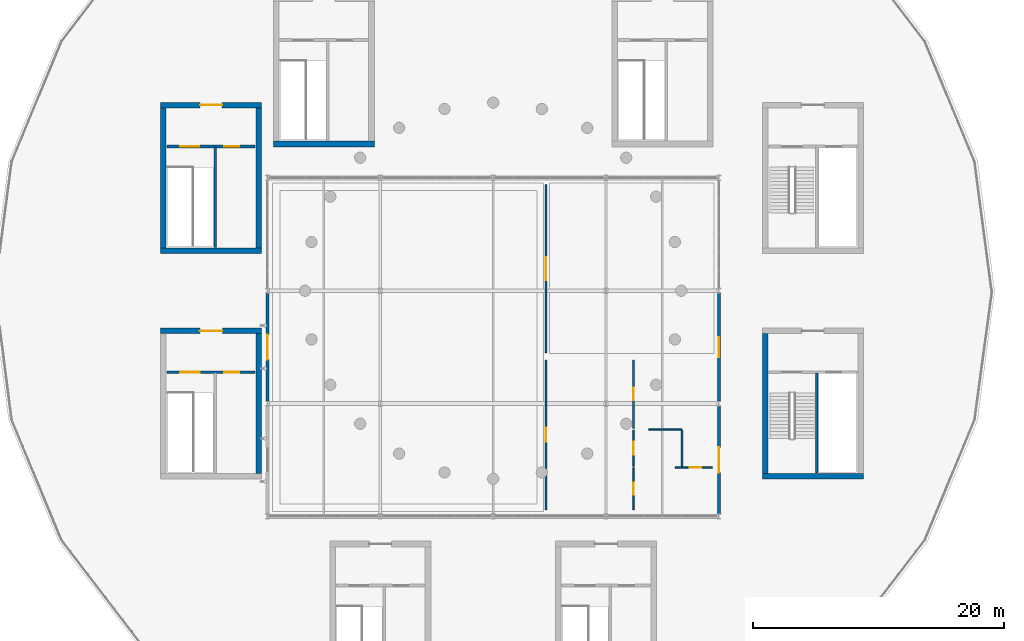
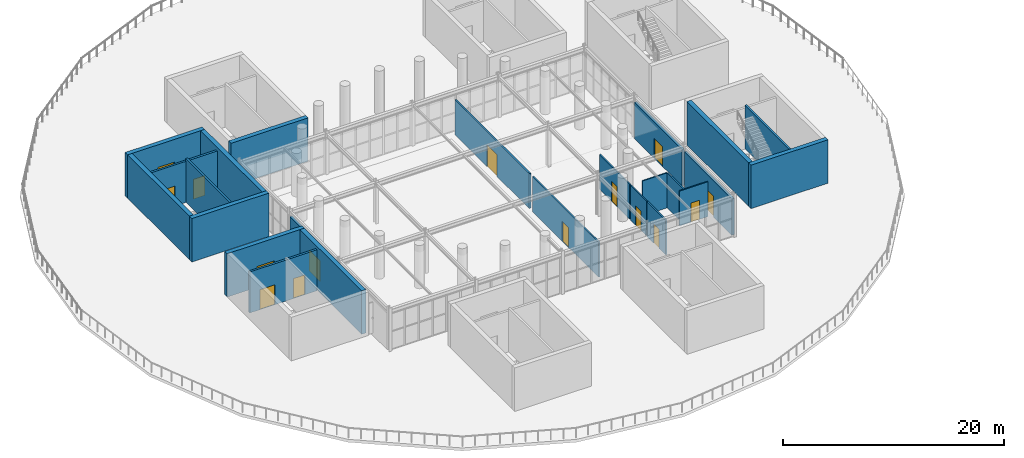
# One storey, part 22 of 29: 24 walls, 15 doors, 15 openings.
"""IFC4 building model written with IfcOpenShell, lengths in metres."""

import ifcopenshell
import ifcopenshell.guid

model = None  # the IFC model being written
_history = None  # IfcOwnerHistory: only IFC2X3 demands one
_inside = {}  # id of a spatial element -> (the spatial element, [elements in it])
_under = {}  # id of a project, library or spatial element -> (it, [spatial elements below it])
_declared = {}  # id of a project -> (the project, [libraries it declares])
_typed = {}  # id of a type object -> (the type object, [elements of that type])
_made_of = {}  # id of a material, layer set ... -> (it, [elements and type objects made of it])


def new_model(schema):
    """Start an empty IFC model of exactly this schema.

    Asked for "IFC4X3", IfcOpenShell would pick the latest addendum, in which some entities
    have other attributes; the version numbers below select the first issue.
    IFC2X3 requires an IfcOwnerHistory on every rooted entity: one is made here for all.
    """
    global model, _history
    if schema == "IFC4X3":
        model = ifcopenshell.file(schema_version=(4, 3, 0, 0))
    else:
        model = ifcopenshell.file(schema=schema)
    _inside.clear()
    _under.clear()
    _declared.clear()
    _typed.clear()
    _made_of.clear()
    _history = None
    if model.schema == "IFC2X3":
        org = make("IfcOrganization", Name="unknown")
        user = make(
            "IfcPersonAndOrganization",
            ThePerson=make("IfcPerson", FamilyName="unknown"),
            TheOrganization=org,
        )
        app = make(
            "IfcApplication",
            ApplicationDeveloper=org,
            Version="unknown",
            ApplicationFullName="unknown",
            ApplicationIdentifier="unknown",
        )
        _history = make(
            "IfcOwnerHistory",
            OwningUser=user,
            OwningApplication=app,
            ChangeAction="ADDED",
            CreationDate=0,
        )
    return model


def make(cls, **values):
    """One entity of the class cls with the attributes given. An attribute that is None is left unset."""
    return model.create_entity(
        cls, **{name: value for name, value in values.items() if value is not None}
    )


def rooted(cls, **values):
    """An entity with a GlobalId (a new one), such as an element, a storey or a relation."""
    return make(cls, GlobalId=ifcopenshell.guid.new(), OwnerHistory=_history, **values)


def si_unit(unit_type, name, prefix=None):
    """IfcSIUnit, for example si_unit("LENGTHUNIT", "METRE", prefix="MILLI")."""
    return make("IfcSIUnit", UnitType=unit_type, Prefix=prefix, Name=name)


def assignment(units):
    """IfcUnitAssignment: the units of a project."""
    return None if units is None else make("IfcUnitAssignment", Units=units)


def point(xyz):
    """IfcCartesianPoint."""
    return None if xyz is None else make("IfcCartesianPoint", Coordinates=xyz)


def direction(xyz):
    """IfcDirection."""
    return None if xyz is None else make("IfcDirection", DirectionRatios=xyz)


def frame(location, z_axis=None, x_axis=None):
    """IfcAxis2Placement3D, a coordinate frame: its origin and axes. An axis left out is left unset."""
    return make(
        "IfcAxis2Placement3D",
        Location=point(location),
        Axis=direction(z_axis),
        RefDirection=direction(x_axis),
    )


def frame_2d(location, x_axis=None):
    """IfcAxis2Placement2D, a coordinate frame in the plane: its origin and x axis."""
    return make(
        "IfcAxis2Placement2D", Location=point(location), RefDirection=direction(x_axis)
    )


def origin():
    """The frame at (0, 0, 0) with its axes left unset."""
    return frame((0.0, 0.0, 0.0))


def place(relative_to, where):
    """IfcLocalPlacement: puts the frame where relative to a parent placement (None: the world)."""
    return make(
        "IfcLocalPlacement", PlacementRelTo=relative_to, RelativePlacement=where
    )


def context(
    kind, dimensions, precision=None, world=None, true_north=None, identifier=None
):
    """IfcGeometricRepresentationContext, for example the 3D "Model" context."""
    return make(
        "IfcGeometricRepresentationContext",
        ContextIdentifier=identifier,
        ContextType=kind,
        CoordinateSpaceDimension=dimensions,
        Precision=precision,
        WorldCoordinateSystem=world,
        TrueNorth=true_north,
    )


def subcontext(parent, identifier, kind, view, scale=None):
    """IfcGeometricRepresentationSubContext, for example "Body" below "Model"."""
    return make(
        "IfcGeometricRepresentationSubContext",
        ContextIdentifier=identifier,
        ContextType=kind,
        ParentContext=parent,
        TargetScale=scale,
        TargetView=view,
    )


def project(units=None, contexts=None):
    """IfcProject with its units and contexts."""
    return rooted(
        "IfcProject",
        Name="project",
        RepresentationContexts=contexts,
        UnitsInContext=assignment(units),
    )


def spatial(cls, under=None, at=None, **own):
    """A site, building, storey or space (cls), placed at a placement, below another one or the project."""
    s = rooted(cls, ObjectPlacement=at, **own)
    if under is not None:
        _under.setdefault(under.id(), (under, []))[1].append(s)
    return s


def profile(cls, at=None, kind="AREA", **sizes):
    """A parametric profile (cls). Its sizes go by their IFC names, for example OverallWidth=200.0."""
    return make(cls, ProfileType=kind, Position=at, **sizes)


def rectangle(**sizes):
    """IfcRectangleProfileDef."""
    return profile("IfcRectangleProfileDef", **sizes)


def extrude(swept, where, along, depth):
    """IfcExtrudedAreaSolid: the profile swept, set in the frame where, extruded along a direction by depth."""
    return make(
        "IfcExtrudedAreaSolid",
        SweptArea=swept,
        Position=where,
        ExtrudedDirection=direction(along),
        Depth=depth,
    )


def shape(context_of_items, identifier, shape_type, items):
    """IfcShapeRepresentation: the items that make up one representation, for example the "Body"."""
    return make(
        "IfcShapeRepresentation",
        ContextOfItems=context_of_items,
        RepresentationIdentifier=identifier,
        RepresentationType=shape_type,
        Items=items,
    )


def material(Name=None, Category=None):
    """IfcMaterial."""
    return make("IfcMaterial", Name=Name, Category=Category)


def layer(
    of_material, thickness, ventilated=None, Name=None, Category=None, Priority=None
):
    """IfcMaterialLayer: one layer of a wall or slab, of a material (None: an air gap)."""
    return make(
        "IfcMaterialLayer",
        Material=of_material,
        LayerThickness=thickness,
        IsVentilated=ventilated,
        Name=Name,
        Category=Category,
        Priority=Priority,
    )


def layer_set(layers, Name=None):
    """IfcMaterialLayerSet."""
    return make("IfcMaterialLayerSet", MaterialLayers=layers, LayerSetName=Name)


def made_of(thing, what):
    """Note that an element or type object is made of a material, layer set ...; save() writes the relation."""
    if what is not None:
        _made_of.setdefault(what.id(), (what, []))[1].append(thing)
    return thing


def type_object(cls, material=None, **own):
    """A type object (cls), such as IfcWallType, which elements share."""
    return made_of(rooted(cls, **own), material)


def element(
    cls,
    number,
    at=None,
    inside=None,
    cuts=None,
    type_object=None,
    material=None,
    context=None,
    identifier="Body",
    shape_type=None,
    held_by="IfcProductDefinitionShape",
    body=None,
    shapes=None,
    **own,
):
    """One element of the class cls, such as IfcWall. Its Tag is "e" and its number.

    at: its placement. inside: the storey or other place that contains it. cuts: it is an
    opening in that element (IfcRelVoidsElement). A single representation is given by context,
    identifier, shape_type and body (its items); several are given by shapes. held_by: the class
    of the entity that holds the representations. save() writes the other relations.
    """
    e = rooted(cls, Tag="e%d" % number, ObjectPlacement=at, **own)
    if body is not None:
        shapes = [shape(context, identifier, shape_type, body)]
    if shapes is not None:
        e.Representation = make(held_by, Representations=shapes)
    if inside is not None:
        _inside.setdefault(inside.id(), (inside, []))[1].append(e)
    if cuts is not None:
        rooted(
            "IfcRelVoidsElement", RelatingBuildingElement=cuts, RelatedOpeningElement=e
        )
    if type_object is not None:
        _typed.setdefault(type_object.id(), (type_object, []))[1].append(e)
    return made_of(e, material)


def fill(opening, filler):
    """IfcRelFillsElement: the door or window that sits in an opening."""
    return rooted(
        "IfcRelFillsElement",
        RelatingOpeningElement=opening,
        RelatedBuildingElement=filler,
    )


def aggregate(whole, parts):
    """IfcRelAggregates: a whole, such as a stair, and the parts it consists of."""
    return rooted("IfcRelAggregates", RelatingObject=whole, RelatedObjects=parts)


def save(model, path):
    """Write the relations noted so far, then the file.

    IfcRelAggregates (storeys below a building ...), IfcRelContainedInSpatialStructure (elements
    in a storey), IfcRelDefinesByType, IfcRelAssociatesMaterial and IfcRelDeclares: one each for
    every whole, place, type object, material and project.
    """
    for whole, parts in _under.values():
        aggregate(whole, parts)
    for where, things in _inside.values():
        rooted(
            "IfcRelContainedInSpatialStructure",
            RelatedElements=things,
            RelatingStructure=where,
        )
    for kind, things in _typed.values():
        rooted("IfcRelDefinesByType", RelatedObjects=things, RelatingType=kind)
    for what, things in _made_of.values():
        rooted("IfcRelAssociatesMaterial", RelatedObjects=things, RelatingMaterial=what)
    for by, libraries in _declared.values():
        rooted("IfcRelDeclares", RelatingContext=by, RelatedDefinitions=libraries)
    model.write(path)


model = new_model("IFC4")

# Units and contexts
model_context = context("Model", 3, precision=1e-05, world=origin(), true_north=direction((0.0, 1.0)))
body_context = subcontext(model_context, "Body", "Model", "MODEL_VIEW")
ifc_project = project(units=[si_unit("LENGTHUNIT", "METRE"), si_unit("AREAUNIT", "SQUARE_METRE"), si_unit("VOLUMEUNIT", "CUBIC_METRE"), si_unit("PLANEANGLEUNIT", "RADIAN"), si_unit("MASSUNIT", "GRAM", prefix="KILO")], contexts=[model_context])

# Site, building, storey
site_placement = place(None, origin())
site = spatial("IfcSite", under=ifc_project, at=site_placement, CompositionType="ELEMENT")
building_placement = place(site_placement, origin())
building = spatial("IfcBuilding", under=site, at=building_placement, Name="Dornveld Trade and Exhibition Forum", CompositionType="ELEMENT")
storey_placement = place(building_placement, frame((0.0, 0.0, 21.60009765625)))
storey = spatial("IfcBuildingStorey", under=building, at=storey_placement, Name="L04", CompositionType="ELEMENT", Elevation=21.60009765625)

# Walls
ifc_material_1 = material(Name="Concrete C40/50", Category="concrete")
ifc_layer_1 = layer(ifc_material_1, 0.449951171875)
ifc_layer_set_1 = layer_set([ifc_layer_1], Name="Concrete C40/50")
wall_type_1 = type_object("IfcWallType", Name="WL-CORE-450", PredefinedType="SHEAR", material=ifc_layer_set_1)
for number, where, z_axis, x_axis, name in (
    (1, (99.47509765625, 92.699951171875, 0.0), (0.0, 0.0, 1.0), (1.0, 0.0, 0.0), "CORE-03 L04 shear wall S"),
    (2, (90.47509765625, 84.199951171875, 0.0), (0.0, 0.0, 1.0), (1.0, 0.0, 0.0), "CORE-04 L04 shear wall S"),
):
    element("IfcWall", number, at=place(storey_placement, frame(where, z_axis=z_axis, x_axis=x_axis)), inside=storey, type_object=wall_type_1, Name=name, PredefinedType="SHEAR", context=body_context, shape_type="SweptSolid", body=[
        extrude(rectangle(XDim=8.0498046875, YDim=0.449951171875, at=frame_2d((4.02490234375, 0.0))), origin(), (0.0, 0.0, 1.0), 4.7998046875),
    ])

# Wall, opening, door
wall_1_placement = place(storey_placement, frame((90.47509765625, 95.800048828125, 0.0), z_axis=(0.0, 0.0, 1.0), x_axis=(1.0, 0.0, 0.0)))
wall_1 = element("IfcWall", 3, at=wall_1_placement, inside=storey, type_object=wall_type_1, Name="CORE-04 L04 shear wall N", PredefinedType="SHEAR", context=body_context, shape_type="SweptSolid", body=[
    extrude(rectangle(XDim=8.0498046875, YDim=0.449951171875, at=frame_2d((4.02490234375, 0.0))), origin(), (0.0, 0.0, 1.0), 4.7998046875),
])
opening_1_placement = place(wall_1_placement, frame((3.14990234375, 0.0, 0.0)))
opening_1 = element("IfcOpeningElement", 4, at=opening_1_placement, cuts=wall_1, Name="Opening CD-04-L04", PredefinedType="OPENING", context=body_context, shape_type="SweptSolid", body=[
    extrude(rectangle(XDim=1.75, YDim=2.300048828125, at=frame_2d((0.875, 1.14990234375))), frame((0.0, 0.23486328125, 0.0), z_axis=(0.0, -1.0, 0.0), x_axis=(1.0, 0.0, 0.0)), (0.0, 0.0, 1.0), 0.469970703125),
])
ifc_material_2 = material(Name="Steel fire-rated double door assembly", Category="steel")
door_type_1 = type_object("IfcDoorType", Name="DR-CORE-175x230", OperationType="NOTDEFINED", PredefinedType="DOOR", material=ifc_material_2)
door_1_placement = place(opening_1_placement, frame((1.75, 0.0, 0.0), z_axis=(0.0, 0.0, 1.0), x_axis=(-1.0, 0.0, 0.0)))
door_1 = element("IfcDoor", 5, at=door_1_placement, inside=storey, type_object=door_type_1, Name="CORE-04 L04 core lobby double fire door", OperationType="DOUBLE_DOOR_SINGLE_SWING", OverallHeight=2.300048828125, OverallWidth=1.75, PredefinedType="DOOR", context=body_context, shape_type="SweptSolid", body=[
    extrude(rectangle(XDim=1.75, YDim=2.300048828125, at=frame_2d((0.875, 1.14990234375))), frame((0.0, 0.02490234375, 0.0), z_axis=(0.0, -1.0, 0.0), x_axis=(1.0, 0.0, 0.0)), (0.0, 0.0, 1.0), 0.050048828125),
])
fill(opening_1, door_1)

# Walls
for number, where, z_axis, x_axis, name in (
    (6, (90.699951171875, 84.425048828125, 0.0), (0.0, 0.0, 1.0), (0.0, 1.0, 0.0), "CORE-04 L04 shear wall W"),
    (7, (98.300048828125, 84.425048828125, 0.0), (0.0, 0.0, 1.0), (0.0, 1.0, 0.0), "CORE-04 L04 shear wall E"),
):
    element("IfcWall", number, at=place(storey_placement, frame(where, z_axis=z_axis, x_axis=x_axis)), inside=storey, type_object=wall_type_1, Name=name, PredefinedType="SHEAR", context=body_context, shape_type="SweptSolid", body=[
        extrude(rectangle(XDim=11.14990234375, YDim=0.449951171875, at=frame_2d((5.574951171875, 0.0))), origin(), (0.0, 0.0, 1.0), 4.7998046875),
    ])

# Wall, opening, door
wall_2_placement = place(storey_placement, frame((90.47509765625, 77.800048828125, 0.0), z_axis=(0.0, 0.0, 1.0), x_axis=(1.0, 0.0, 0.0)))
wall_2 = element("IfcWall", 8, at=wall_2_placement, inside=storey, type_object=wall_type_1, Name="CORE-05 L04 shear wall N", PredefinedType="SHEAR", context=body_context, shape_type="SweptSolid", body=[
    extrude(rectangle(XDim=8.0498046875, YDim=0.449951171875, at=frame_2d((4.02490234375, 0.0))), origin(), (0.0, 0.0, 1.0), 4.7998046875),
])
opening_2_placement = place(wall_2_placement, frame((3.125, 0.0, 0.0)))
opening_2 = element("IfcOpeningElement", 9, at=opening_2_placement, cuts=wall_2, Name="Opening CD-05-L04", PredefinedType="OPENING", context=body_context, shape_type="SweptSolid", body=[
    extrude(rectangle(XDim=1.800048828125, YDim=2.300048828125, at=frame_2d((0.89990234375, 1.14990234375))), frame((0.0, 0.23486328125, 0.0), z_axis=(0.0, -1.0, 0.0), x_axis=(1.0, 0.0, 0.0)), (0.0, 0.0, 1.0), 0.469970703125),
])
ifc_material_3 = material(Name="Steel fire-rated double door assembly", Category="steel")
door_type_2 = type_object("IfcDoorType", Name="DR-CORE-180x230", OperationType="NOTDEFINED", PredefinedType="DOOR", material=ifc_material_3)
door_2_placement = place(opening_2_placement, frame((1.800048828125, 0.0, 0.0), z_axis=(0.0, 0.0, 1.0), x_axis=(-1.0, 0.0, 0.0)))
door_2 = element("IfcDoor", 10, at=door_2_placement, inside=storey, type_object=door_type_2, Name="CORE-05 L04 core lobby double fire door", OperationType="DOUBLE_DOOR_SINGLE_SWING", OverallHeight=2.300048828125, OverallWidth=1.800048828125, PredefinedType="DOOR", context=body_context, shape_type="SweptSolid", body=[
    extrude(rectangle(XDim=1.800048828125, YDim=2.300048828125, at=frame_2d((0.89990234375, 1.14990234375))), frame((0.0, 0.02490234375, 0.0), z_axis=(0.0, -1.0, 0.0), x_axis=(1.0, 0.0, 0.0)), (0.0, 0.0, 1.0), 0.050048828125),
])
fill(opening_2, door_2)

# Walls
wall_3_placement = place(storey_placement, frame((98.300048828125, 66.425048828125, 0.0), z_axis=(0.0, 0.0, 1.0), x_axis=(0.0, 1.0, 0.0)))
element("IfcWall", 11, at=wall_3_placement, inside=storey, type_object=wall_type_1, Name="CORE-05 L04 shear wall E", PredefinedType="SHEAR", context=body_context, shape_type="SweptSolid", body=[
    extrude(rectangle(XDim=11.14990234375, YDim=0.449951171875, at=frame_2d((5.574951171875, 0.0))), origin(), (0.0, 0.0, 1.0), 4.7998046875),
])
wall_4_placement = place(storey_placement, frame((138.47509765625, 66.199951171875, 0.0), z_axis=(0.0, 0.0, 1.0), x_axis=(1.0, 0.0, 0.0)))
element("IfcWall", 12, at=wall_4_placement, inside=storey, type_object=wall_type_1, Name="CORE-08 L04 shear wall S", PredefinedType="SHEAR", context=body_context, shape_type="SweptSolid", body=[
    extrude(rectangle(XDim=8.0498046875, YDim=0.449951171875, at=frame_2d((4.02490234375, 0.0))), origin(), (0.0, 0.0, 1.0), 4.7998046875),
])
wall_5_placement = place(storey_placement, frame((138.699951171875, 66.425048828125, 0.0), z_axis=(0.0, 0.0, 1.0), x_axis=(0.0, 1.0, 0.0)))
element("IfcWall", 13, at=wall_5_placement, inside=storey, type_object=wall_type_1, Name="CORE-08 L04 shear wall W", PredefinedType="SHEAR", context=body_context, shape_type="SweptSolid", body=[
    extrude(rectangle(XDim=11.14990234375, YDim=0.449951171875, at=frame_2d((5.574951171875, 0.0))), origin(), (0.0, 0.0, 1.0), 4.7998046875),
])

# Wall, opening, door
ifc_material_4 = material(Name="Precast concrete C50/60", Category="concrete")
ifc_layer_2 = layer(ifc_material_4, 0.260009765625)
ifc_layer_set_2 = layer_set([ifc_layer_2], Name="Precast concrete C50/60")
wall_type_2 = type_object("IfcWallType", Name="WL-EXT-PC260", PredefinedType="SOLIDWALL", material=ifc_layer_set_2)
wall_6_placement = place(storey_placement, frame((135.0, 63.199462890625, 0.0), z_axis=(0.0, 0.0, 1.0), x_axis=(0.0, 1.0, 0.0)))
wall_6 = element("IfcWall", 14, at=wall_6_placement, inside=storey, type_object=wall_type_2, Name="L04 precast facade wall 11", PredefinedType="SOLIDWALL", context=body_context, shape_type="SweptSolid", body=[
    extrude(rectangle(XDim=8.60107421875, YDim=0.260009765625, at=frame_2d((4.300537109375, 0.0))), origin(), (0.0, 0.0, 1.0), 4.02001953125),
])
opening_3_placement = place(wall_6_placement, frame((3.300537109375, 0.0, 0.0)))
opening_3 = element("IfcOpeningElement", 15, at=opening_3_placement, cuts=wall_6, Name="Opening TD-07", PredefinedType="OPENING", context=body_context, shape_type="SweptSolid", body=[
    extrude(rectangle(XDim=2.0, YDim=2.300048828125, at=frame_2d((1.0, 1.14990234375))), frame((0.0, 0.139892578125, 0.0), z_axis=(0.0, -1.0, 0.0), x_axis=(1.0, 0.0, 0.0)), (0.0, 0.0, 1.0), 0.280029296875),
])
ifc_material_5 = material(Name="Dark-bronze anodised aluminium and laminated safety glass", Category="aluminium")
door_type_3 = type_object("IfcDoorType", Name="DR-TER-200x230", OperationType="NOTDEFINED", PredefinedType="DOOR", material=ifc_material_5)
door_3_placement = place(opening_3_placement, frame((2.0, 0.0, 0.0), z_axis=(0.0, 0.0, 1.0), x_axis=(-1.0, 0.0, 0.0)))
door_3 = element("IfcDoor", 16, at=door_3_placement, inside=storey, type_object=door_type_3, Name="L04 terrace access door 7", OperationType="SINGLE_SWING_LEFT", OverallHeight=2.300048828125, OverallWidth=2.0, PredefinedType="DOOR", context=body_context, shape_type="SweptSolid", body=[
    extrude(rectangle(XDim=2.0, YDim=2.300048828125, at=frame_2d((1.0, 1.14990234375))), frame((0.0, 0.02490234375, 0.0), z_axis=(0.0, -1.0, 0.0), x_axis=(1.0, 0.0, 0.0)), (0.0, 0.0, 1.0), 0.050048828125),
])
fill(opening_3, door_3)

wall_7_placement = place(storey_placement, frame((135.0, 72.199462890625, 0.0), z_axis=(0.0, 0.0, 1.0), x_axis=(0.0, 1.0, 0.0)))
wall_7 = element("IfcWall", 17, at=wall_7_placement, inside=storey, type_object=wall_type_2, Name="L04 precast facade wall 13", PredefinedType="SOLIDWALL", context=body_context, shape_type="SweptSolid", body=[
    extrude(rectangle(XDim=8.60107421875, YDim=0.260009765625, at=frame_2d((4.300537109375, 0.0))), origin(), (0.0, 0.0, 1.0), 4.02001953125),
])
opening_4_placement = place(wall_7_placement, frame((3.50048828125, 0.0, 0.0)))
opening_4 = element("IfcOpeningElement", 18, at=opening_4_placement, cuts=wall_7, Name="Opening TD-09", PredefinedType="OPENING", context=body_context, shape_type="SweptSolid", body=[
    extrude(rectangle(XDim=1.60009765625, YDim=2.199951171875, at=frame_2d((0.800048828125, 1.10009765625))), frame((0.0, 0.139892578125, 0.0), z_axis=(0.0, -1.0, 0.0), x_axis=(1.0, 0.0, 0.0)), (0.0, 0.0, 1.0), 0.280029296875),
])
ifc_material_6 = material(Name="Dark-bronze anodised aluminium and laminated safety glass", Category="aluminium")
door_type_4 = type_object("IfcDoorType", Name="DR-TER-160x220", OperationType="NOTDEFINED", PredefinedType="DOOR", material=ifc_material_6)
door_4_placement = place(opening_4_placement, frame((1.60009765625, 0.0, 0.0), z_axis=(0.0, 0.0, 1.0), x_axis=(-1.0, 0.0, 0.0)))
door_4 = element("IfcDoor", 19, at=door_4_placement, inside=storey, type_object=door_type_4, Name="L04 terrace access door 9", OperationType="SINGLE_SWING_LEFT", OverallHeight=2.199951171875, OverallWidth=1.60009765625, PredefinedType="DOOR", context=body_context, shape_type="SweptSolid", body=[
    extrude(rectangle(XDim=1.60009765625, YDim=2.199951171875, at=frame_2d((0.800048828125, 1.10009765625))), frame((0.0, 0.02490234375, 0.0), z_axis=(0.0, -1.0, 0.0), x_axis=(1.0, 0.0, 0.0)), (0.0, 0.0, 1.0), 0.050048828125),
])
fill(opening_4, door_4)

wall_8_placement = place(storey_placement, frame((99.0, 80.800537109375, 0.0), z_axis=(0.0, 0.0, 1.0), x_axis=(0.0, -1.0, 0.0)))
wall_8 = element("IfcWall", 20, at=wall_8_placement, inside=storey, type_object=wall_type_2, Name="L04 precast facade wall 14", PredefinedType="SOLIDWALL", context=body_context, shape_type="SweptSolid", body=[
    extrude(rectangle(XDim=8.60107421875, YDim=0.260009765625, at=frame_2d((4.300537109375, 0.0))), origin(), (0.0, 0.0, 1.0), 4.02001953125),
])
opening_5_placement = place(wall_8_placement, frame((3.300537109375, 0.0, 0.0)))
opening_5 = element("IfcOpeningElement", 21, at=opening_5_placement, cuts=wall_8, Name="Opening TD-10", PredefinedType="OPENING", context=body_context, shape_type="SweptSolid", body=[
    extrude(rectangle(XDim=2.0, YDim=2.300048828125, at=frame_2d((1.0, 1.14990234375))), frame((0.0, 0.139892578125, 0.0), z_axis=(0.0, -1.0, 0.0), x_axis=(1.0, 0.0, 0.0)), (0.0, 0.0, 1.0), 0.280029296875),
])
door_5_placement = place(opening_5_placement, frame((2.0, 0.0, 0.0), z_axis=(0.0, 0.0, 1.0), x_axis=(-1.0, 0.0, 0.0)))
door_5 = element("IfcDoor", 22, at=door_5_placement, inside=storey, type_object=door_type_3, Name="L04 terrace access door 10", OperationType="SINGLE_SWING_RIGHT", OverallHeight=2.300048828125, OverallWidth=2.0, PredefinedType="DOOR", context=body_context, shape_type="SweptSolid", body=[
    extrude(rectangle(XDim=2.0, YDim=2.300048828125, at=frame_2d((1.0, 1.14990234375))), frame((0.0, 0.02490234375, 0.0), z_axis=(0.0, -1.0, 0.0), x_axis=(1.0, 0.0, 0.0)), (0.0, 0.0, 1.0), 0.050048828125),
])
fill(opening_5, door_5)

ifc_material_7 = material(Name="Fire-rated steel-stud gypsum board", Category="steel")
ifc_layer_3 = layer(ifc_material_7, 0.169921875)
ifc_layer_set_3 = layer_set([ifc_layer_3], Name="Fire-rated steel-stud gypsum board")
wall_type_3 = type_object("IfcWallType", Name="WL-INT-FR170", PredefinedType="PARTITIONING", material=ifc_layer_set_3)
wall_9_placement = place(storey_placement, frame((121.199951171875, 76.02001953125, 0.0), z_axis=(0.0, 0.0, 1.0), x_axis=(0.0, 1.0, 0.0)))
wall_9 = element("IfcWall", 23, at=wall_9_placement, inside=storey, type_object=wall_type_3, Name="L04 interior partition 78", PredefinedType="PARTITIONING", context=body_context, shape_type="SweptSolid", body=[
    extrude(rectangle(XDim=13.4599609375, YDim=0.169921875, at=frame_2d((6.72998046875, 0.0))), origin(), (0.0, 0.0, 1.0), 3.849853515625),
])
opening_6_placement = place(wall_9_placement, frame((5.804931640625, 0.0, 0.0)))
opening_6 = element("IfcOpeningElement", 24, at=opening_6_placement, cuts=wall_9, Name="Opening RD-01-048", PredefinedType="OPENING", context=body_context, shape_type="SweptSolid", body=[
    extrude(rectangle(XDim=1.85009765625, YDim=2.39990234375, at=frame_2d((0.925048828125, 1.199951171875))), frame((0.0, 0.094970703125, 0.0), z_axis=(0.0, -1.0, 0.0), x_axis=(1.0, 0.0, 0.0)), (0.0, 0.0, 1.0), 0.18994140625),
])
ifc_material_8 = material(Name="Bronze-framed glazed retail entrance door", Category="aluminium")
door_type_5 = type_object("IfcDoorType", Name="DR-RET-185x240", OperationType="NOTDEFINED", PredefinedType="DOOR", material=ifc_material_8)
door_6_placement = place(opening_6_placement, origin())
door_6 = element("IfcDoor", 25, at=door_6_placement, inside=storey, type_object=door_type_5, Name="L04 interior room door 48", OperationType="DOUBLE_DOOR_SINGLE_SWING", OverallHeight=2.39990234375, OverallWidth=1.85009765625, PredefinedType="DOOR", context=body_context, shape_type="SweptSolid", body=[
    extrude(rectangle(XDim=1.85009765625, YDim=2.39990234375, at=frame_2d((0.925048828125, 1.199951171875))), frame((0.0, 0.02490234375, 0.0), z_axis=(0.0, -1.0, 0.0), x_axis=(1.0, 0.0, 0.0)), (0.0, 0.0, 1.0), 0.050048828125),
])
fill(opening_6, door_6)

# Wall, openings, doors
ifc_material_9 = material(Name="Concrete C40/50", Category="concrete")
ifc_layer_4 = layer(ifc_material_9, 0.219970703125)
ifc_layer_set_4 = layer_set([ifc_layer_4], Name="Concrete C40/50")
wall_type_4 = type_object("IfcWallType", Name="WL-INT-LOB220", PredefinedType="SOLIDWALL", material=ifc_layer_set_4)
wall_10_placement = place(storey_placement, frame((91.0, 92.5, 0.0), z_axis=(0.0, 0.0, 1.0), x_axis=(1.0, 0.0, 0.0)))
wall_10 = element("IfcWall", 26, at=wall_10_placement, inside=storey, type_object=wall_type_4, Name="CORE-04 L04 protected lobby bulkhead wall", PredefinedType="SOLIDWALL", context=body_context, shape_type="SweptSolid", body=[
    extrude(rectangle(XDim=7.0, YDim=0.219970703125, at=frame_2d((3.5, 0.0))), origin(), (0.0, 0.0, 1.0), 4.52978515625),
])
opening_7_placement = place(wall_10_placement, frame((1.050048828125, 0.0, 0.0)))
opening_7 = element("IfcOpeningElement", 27, at=opening_7_placement, cuts=wall_10, Name="Opening SD-04-L04", PredefinedType="OPENING", context=body_context, shape_type="SweptSolid", body=[
    extrude(rectangle(XDim=1.5, YDim=2.199951171875, at=frame_2d((0.75, 1.10009765625))), frame((0.0, 0.119873046875, 0.0), z_axis=(0.0, -1.0, 0.0), x_axis=(1.0, 0.0, 0.0)), (0.0, 0.0, 1.0), 0.239990234375),
])
opening_8_placement = place(wall_10_placement, frame((4.550048828125, 0.0, 0.0)))
opening_8 = element("IfcOpeningElement", 28, at=opening_8_placement, cuts=wall_10, Name="Opening LD-04-L04", PredefinedType="OPENING", context=body_context, shape_type="SweptSolid", body=[
    extrude(rectangle(XDim=1.199951171875, YDim=2.199951171875, at=frame_2d((0.60009765625, 1.10009765625))), frame((0.0, 0.119873046875, 0.0), z_axis=(0.0, -1.0, 0.0), x_axis=(1.0, 0.0, 0.0)), (0.0, 0.0, 1.0), 0.239990234375),
])
ifc_material_10 = material(Name="Brushed stainless steel sliding lift landing door", Category="steel")
door_type_6 = type_object("IfcDoorType", Name="DR-LIFT-120x220", OperationType="NOTDEFINED", PredefinedType="DOOR", material=ifc_material_10)
door_7_placement = place(opening_8_placement, origin())
door_7 = element("IfcDoor", 29, at=door_7_placement, inside=storey, type_object=door_type_6, Name="CORE-04 L04 lift sliding landing door", OperationType="SLIDING_TO_RIGHT", OverallHeight=2.199951171875, OverallWidth=1.199951171875, PredefinedType="DOOR", context=body_context, shape_type="SweptSolid", body=[
    extrude(rectangle(XDim=1.199951171875, YDim=2.199951171875, at=frame_2d((0.60009765625, 1.10009765625))), frame((0.0, 0.02490234375, 0.0), z_axis=(0.0, -1.0, 0.0), x_axis=(1.0, 0.0, 0.0)), (0.0, 0.0, 1.0), 0.050048828125),
])
fill(opening_8, door_7)
ifc_material_11 = material(Name="Steel fire-rated stair door assembly", Category="steel")
door_type_7 = type_object("IfcDoorType", Name="DR-STAIR-150x220", OperationType="NOTDEFINED", PredefinedType="DOOR", material=ifc_material_11)
door_8_placement = place(opening_7_placement, origin())
door_8 = element("IfcDoor", 30, at=door_8_placement, inside=storey, type_object=door_type_7, Name="CORE-04 L04 protected stair door", OperationType="SINGLE_SWING_RIGHT", OverallHeight=2.199951171875, OverallWidth=1.5, PredefinedType="DOOR", context=body_context, shape_type="SweptSolid", body=[
    extrude(rectangle(XDim=1.5, YDim=2.199951171875, at=frame_2d((0.75, 1.10009765625))), frame((0.0, 0.02490234375, 0.0), z_axis=(0.0, -1.0, 0.0), x_axis=(1.0, 0.0, 0.0)), (0.0, 0.0, 1.0), 0.050048828125),
])
fill(opening_7, door_8)

wall_11_placement = place(storey_placement, frame((91.0, 74.5, 0.0), z_axis=(0.0, 0.0, 1.0), x_axis=(1.0, 0.0, 0.0)))
wall_11 = element("IfcWall", 31, at=wall_11_placement, inside=storey, type_object=wall_type_4, Name="CORE-05 L04 protected lobby bulkhead wall", PredefinedType="SOLIDWALL", context=body_context, shape_type="SweptSolid", body=[
    extrude(rectangle(XDim=7.0, YDim=0.219970703125, at=frame_2d((3.5, 0.0))), origin(), (0.0, 0.0, 1.0), 4.52978515625),
])
opening_9_placement = place(wall_11_placement, frame((1.050048828125, 0.0, 0.0)))
opening_9 = element("IfcOpeningElement", 32, at=opening_9_placement, cuts=wall_11, Name="Opening SD-05-L04", PredefinedType="OPENING", context=body_context, shape_type="SweptSolid", body=[
    extrude(rectangle(XDim=1.550048828125, YDim=2.199951171875, at=frame_2d((0.77490234375, 1.10009765625))), frame((0.0, 0.119873046875, 0.0), z_axis=(0.0, -1.0, 0.0), x_axis=(1.0, 0.0, 0.0)), (0.0, 0.0, 1.0), 0.239990234375),
])
opening_10_placement = place(wall_11_placement, frame((4.550048828125, 0.0, 0.0)))
opening_10 = element("IfcOpeningElement", 33, at=opening_10_placement, cuts=wall_11, Name="Opening LD-05-L04", PredefinedType="OPENING", context=body_context, shape_type="SweptSolid", body=[
    extrude(rectangle(XDim=1.199951171875, YDim=2.199951171875, at=frame_2d((0.60009765625, 1.10009765625))), frame((0.0, 0.119873046875, 0.0), z_axis=(0.0, -1.0, 0.0), x_axis=(1.0, 0.0, 0.0)), (0.0, 0.0, 1.0), 0.239990234375),
])
door_9_placement = place(opening_10_placement, origin())
door_9 = element("IfcDoor", 34, at=door_9_placement, inside=storey, type_object=door_type_6, Name="CORE-05 L04 lift sliding landing door", OperationType="SLIDING_TO_LEFT", OverallHeight=2.199951171875, OverallWidth=1.199951171875, PredefinedType="DOOR", context=body_context, shape_type="SweptSolid", body=[
    extrude(rectangle(XDim=1.199951171875, YDim=2.199951171875, at=frame_2d((0.60009765625, 1.10009765625))), frame((0.0, 0.02490234375, 0.0), z_axis=(0.0, -1.0, 0.0), x_axis=(1.0, 0.0, 0.0)), (0.0, 0.0, 1.0), 0.050048828125),
])
fill(opening_10, door_9)
ifc_material_12 = material(Name="Steel fire-rated stair door assembly", Category="steel")
door_type_8 = type_object("IfcDoorType", Name="DR-STAIR-155x220", OperationType="NOTDEFINED", PredefinedType="DOOR", material=ifc_material_12)
door_10_placement = place(opening_9_placement, origin())
door_10 = element("IfcDoor", 35, at=door_10_placement, inside=storey, type_object=door_type_8, Name="CORE-05 L04 protected stair door", OperationType="SINGLE_SWING_LEFT", OverallHeight=2.199951171875, OverallWidth=1.550048828125, PredefinedType="DOOR", context=body_context, shape_type="SweptSolid", body=[
    extrude(rectangle(XDim=1.550048828125, YDim=2.199951171875, at=frame_2d((0.77490234375, 1.10009765625))), frame((0.0, 0.02490234375, 0.0), z_axis=(0.0, -1.0, 0.0), x_axis=(1.0, 0.0, 0.0)), (0.0, 0.0, 1.0), 0.050048828125),
])
fill(opening_9, door_10)

# Walls
ifc_material_13 = material(Name="Concrete C40/50", Category="concrete")
ifc_layer_5 = layer(ifc_material_13, 0.199951171875)
ifc_layer_set_5 = layer_set([ifc_layer_5], Name="Concrete C40/50")
wall_type_5 = type_object("IfcWallType", Name="WL-INT-SHAFT200", PredefinedType="SOLIDWALL", material=ifc_layer_set_5)
for number, where, z_axis, x_axis, name in (
    (36, (94.820068359375, 84.449951171875, 0.0), (0.0, 0.0, 1.0), (0.0, 1.0, 0.0), "CORE-04 L04 lift-stair structural shaft wall"),
    (37, (142.820068359375, 66.449951171875, 0.0), (0.0, 0.0, 1.0), (0.0, 1.0, 0.0), "CORE-08 L04 lift-stair structural shaft wall"),
):
    element("IfcWall", number, at=place(storey_placement, frame(where, z_axis=z_axis, x_axis=x_axis)), inside=storey, type_object=wall_type_5, Name=name, PredefinedType="SOLIDWALL", context=body_context, shape_type="SweptSolid", body=[
        extrude(rectangle(XDim=8.0, YDim=0.199951171875, at=frame_2d((4.0, 0.0))), origin(), (0.0, 0.0, 1.0), 4.7998046875),
    ])
ifc_material_14 = material(Name="Steel-stud gypsum partition", Category="steel")
ifc_layer_6 = layer(ifc_material_14, 0.135009765625)
ifc_layer_set_6 = layer_set([ifc_layer_6], Name="Steel-stud gypsum partition")
wall_type_6 = type_object("IfcWallType", Name="WL-INT-ST135", PredefinedType="PARTITIONING", material=ifc_layer_set_6)
wall_12_placement = place(storey_placement, frame((132.050048828125, 66.919921875, 0.0), z_axis=(0.0, 0.0, 1.0), x_axis=(0.0, 1.0, 0.0)))
element("IfcWall", 38, at=wall_12_placement, inside=storey, type_object=wall_type_6, Name="L04 interior partition 9", PredefinedType="PARTITIONING", context=body_context, shape_type="SweptSolid", body=[
    extrude(rectangle(XDim=2.9599609375, YDim=0.135009765625, at=frame_2d((1.47998046875, 0.0))), origin(), (0.0, 0.0, 1.0), 3.849853515625),
])

# Wall, opening, door
wall_13_placement = place(storey_placement, frame((128.199951171875, 63.52001953125, 0.0), z_axis=(0.0, 0.0, 1.0), x_axis=(0.0, 1.0, 0.0)))
wall_13 = element("IfcWall", 39, at=wall_13_placement, inside=storey, type_object=wall_type_6, Name="L04 interior partition 81", PredefinedType="PARTITIONING", context=body_context, shape_type="SweptSolid", body=[
    extrude(rectangle(XDim=3.35986328125, YDim=0.135009765625, at=frame_2d((1.679931640625, 0.0))), origin(), (0.0, 0.0, 1.0), 3.849853515625),
])
opening_11_placement = place(wall_13_placement, frame((1.199951171875, 0.0, 0.0)))
opening_11 = element("IfcOpeningElement", 40, at=opening_11_placement, cuts=wall_13, Name="Opening WD-02-051", PredefinedType="OPENING", context=body_context, shape_type="SweptSolid", body=[
    extrude(rectangle(XDim=0.9599609375, YDim=2.1201171875, at=frame_2d((0.47998046875, 1.06005859375))), frame((0.0, 0.077392578125, 0.0), z_axis=(0.0, -1.0, 0.0), x_axis=(1.0, 0.0, 0.0)), (0.0, 0.0, 1.0), 0.155029296875),
])
ifc_material_15 = material(Name="Laminate sanitary lobby door", Category="wood")
door_type_9 = type_object("IfcDoorType", Name="DR-WC-096x212", OperationType="NOTDEFINED", PredefinedType="DOOR", material=ifc_material_15)
door_11_placement = place(opening_11_placement, origin())
door_11 = element("IfcDoor", 41, at=door_11_placement, inside=storey, type_object=door_type_9, Name="L04 interior room door 51", OperationType="SINGLE_SWING_LEFT", OverallHeight=2.1201171875, OverallWidth=0.9599609375, PredefinedType="DOOR", context=body_context, shape_type="SweptSolid", body=[
    extrude(rectangle(XDim=0.9599609375, YDim=2.1201171875, at=frame_2d((0.47998046875, 1.06005859375))), frame((0.0, 0.02490234375, 0.0), z_axis=(0.0, -1.0, 0.0), x_axis=(1.0, 0.0, 0.0)), (0.0, 0.0, 1.0), 0.050048828125),
])
fill(opening_11, door_11)

ifc_material_16 = material(Name="Steel-stud gypsum partition", Category="steel")
ifc_layer_7 = layer(ifc_material_16, 0.14501953125)
ifc_layer_set_7 = layer_set([ifc_layer_7], Name="Steel-stud gypsum partition")
wall_type_7 = type_object("IfcWallType", Name="WL-INT-ST145", PredefinedType="PARTITIONING", material=ifc_layer_set_7)
wall_14_placement = place(storey_placement, frame((128.199951171875, 70.02001953125, 0.0), z_axis=(0.0, 0.0, 1.0), x_axis=(0.0, 1.0, 0.0)))
wall_14 = element("IfcWall", 42, at=wall_14_placement, inside=storey, type_object=wall_type_7, Name="L04 interior partition 80", PredefinedType="PARTITIONING", context=body_context, shape_type="SweptSolid", body=[
    extrude(rectangle(XDim=5.4599609375, YDim=0.14501953125, at=frame_2d((2.72998046875, 0.0))), origin(), (0.0, 0.0, 1.0), 3.849853515625),
])
opening_12_placement = place(wall_14_placement, frame((2.22998046875, 0.0, 0.0)))
opening_12 = element("IfcOpeningElement", 43, at=opening_12_placement, cuts=wall_14, Name="Opening OD-04-050", PredefinedType="OPENING", context=body_context, shape_type="SweptSolid", body=[
    extrude(rectangle(XDim=1.0, YDim=2.199951171875, at=frame_2d((0.5, 1.10009765625))), frame((0.0, 0.08251953125, 0.0), z_axis=(0.0, -1.0, 0.0), x_axis=(1.0, 0.0, 0.0)), (0.0, 0.0, 1.0), 0.1650390625),
])
ifc_material_17 = material(Name="Solid-core hardwood office door", Category="wood")
door_type_10 = type_object("IfcDoorType", Name="DR-OFF-100x220", OperationType="NOTDEFINED", PredefinedType="DOOR", material=ifc_material_17)
door_12_placement = place(opening_12_placement, origin())
door_12 = element("IfcDoor", 44, at=door_12_placement, inside=storey, type_object=door_type_10, Name="L04 interior room door 50", OperationType="SINGLE_SWING_RIGHT", OverallHeight=2.199951171875, OverallWidth=1.0, PredefinedType="DOOR", context=body_context, shape_type="SweptSolid", body=[
    extrude(rectangle(XDim=1.0, YDim=2.199951171875, at=frame_2d((0.5, 1.10009765625))), frame((0.0, 0.02490234375, 0.0), z_axis=(0.0, -1.0, 0.0), x_axis=(1.0, 0.0, 0.0)), (0.0, 0.0, 1.0), 0.050048828125),
])
fill(opening_12, door_12)

ifc_material_18 = material(Name="Steel-stud gypsum partition", Category="steel")
ifc_layer_8 = layer(ifc_material_18, 0.155029296875)
ifc_layer_set_8 = layer_set([ifc_layer_8], Name="Steel-stud gypsum partition")
wall_type_8 = type_object("IfcWallType", Name="WL-INT-ST155", PredefinedType="PARTITIONING", material=ifc_layer_set_8)
wall_15_placement = place(storey_placement, frame((121.199951171875, 63.52001953125, 0.0), z_axis=(0.0, 0.0, 1.0), x_axis=(0.0, 1.0, 0.0)))
wall_15 = element("IfcWall", 45, at=wall_15_placement, inside=storey, type_object=wall_type_8, Name="L04 interior partition 79", PredefinedType="PARTITIONING", context=body_context, shape_type="SweptSolid", body=[
    extrude(rectangle(XDim=11.9599609375, YDim=0.155029296875, at=frame_2d((5.97998046875, 0.0))), origin(), (0.0, 0.0, 1.0), 3.849853515625),
])
opening_13_placement = place(wall_15_placement, frame((5.419921875, 0.0, 0.0)))
opening_13 = element("IfcOpeningElement", 46, at=opening_13_placement, cuts=wall_15, Name="Opening KD-02-049", PredefinedType="OPENING", context=body_context, shape_type="SweptSolid", body=[
    extrude(rectangle(XDim=1.1201171875, YDim=2.199951171875, at=frame_2d((0.56005859375, 1.10009765625))), frame((0.0, 0.08740234375, 0.0), z_axis=(0.0, -1.0, 0.0), x_axis=(1.0, 0.0, 0.0)), (0.0, 0.0, 1.0), 0.175048828125),
])
ifc_material_19 = material(Name="Stainless-clad pantry door", Category="steel")
door_type_11 = type_object("IfcDoorType", Name="DR-KIT-112x220", OperationType="NOTDEFINED", PredefinedType="DOOR", material=ifc_material_19)
door_13_placement = place(opening_13_placement, origin())
door_13 = element("IfcDoor", 47, at=door_13_placement, inside=storey, type_object=door_type_11, Name="L04 interior room door 49", OperationType="SINGLE_SWING_LEFT", OverallHeight=2.199951171875, OverallWidth=1.1201171875, PredefinedType="DOOR", context=body_context, shape_type="SweptSolid", body=[
    extrude(rectangle(XDim=1.1201171875, YDim=2.199951171875, at=frame_2d((0.56005859375, 1.10009765625))), frame((0.0, 0.02490234375, 0.0), z_axis=(0.0, -1.0, 0.0), x_axis=(1.0, 0.0, 0.0)), (0.0, 0.0, 1.0), 0.050048828125),
])
fill(opening_13, door_13)

ifc_material_20 = material(Name="Moisture-resistant wet-room partition", Category="gypsum")
ifc_layer_9 = layer(ifc_material_20, 0.114990234375)
ifc_layer_set_9 = layer_set([ifc_layer_9], Name="Moisture-resistant wet-room partition")
wall_type_9 = type_object("IfcWallType", Name="WL-INT-WC115", PredefinedType="PARTITIONING", material=ifc_layer_set_9)
wall_16_placement = place(storey_placement, frame((128.199951171875, 67.02001953125, 0.0), z_axis=(0.0, 0.0, 1.0), x_axis=(0.0, 1.0, 0.0)))
wall_16 = element("IfcWall", 48, at=wall_16_placement, inside=storey, type_object=wall_type_9, Name="L04 interior partition 83", PredefinedType="PARTITIONING", context=body_context, shape_type="SweptSolid", body=[
    extrude(rectangle(XDim=2.85986328125, YDim=0.114990234375, at=frame_2d((1.429931640625, 0.0))), origin(), (0.0, 0.0, 1.0), 3.849853515625),
])
opening_14_placement = place(wall_16_placement, frame((0.919921875, 0.0, 0.0)))
opening_14 = element("IfcOpeningElement", 49, at=opening_14_placement, cuts=wall_16, Name="Opening WD-01-053", PredefinedType="OPENING", context=body_context, shape_type="SweptSolid", body=[
    extrude(rectangle(XDim=1.02001953125, YDim=2.14990234375, at=frame_2d((0.510009765625, 1.074951171875))), frame((0.0, 0.0673828125, 0.0), z_axis=(0.0, -1.0, 0.0), x_axis=(1.0, 0.0, 0.0)), (0.0, 0.0, 1.0), 0.135009765625),
])
ifc_material_21 = material(Name="Laminate accessible WC outward-opening door", Category="wood")
door_type_12 = type_object("IfcDoorType", Name="DR-WC-102x215", OperationType="NOTDEFINED", PredefinedType="DOOR", material=ifc_material_21)
door_14_placement = place(opening_14_placement, origin())
door_14 = element("IfcDoor", 50, at=door_14_placement, inside=storey, type_object=door_type_12, Name="L04 interior room door 53", OperationType="SINGLE_SWING_LEFT", OverallHeight=2.14990234375, OverallWidth=1.02001953125, PredefinedType="DOOR", context=body_context, shape_type="SweptSolid", body=[
    extrude(rectangle(XDim=1.02001953125, YDim=2.14990234375, at=frame_2d((0.510009765625, 1.074951171875))), frame((0.0, 0.02490234375, 0.0), z_axis=(0.0, -1.0, 0.0), x_axis=(1.0, 0.0, 0.0)), (0.0, 0.0, 1.0), 0.050048828125),
])
fill(opening_14, door_14)

# Wall
ifc_material_22 = material(Name="Moisture-resistant wet-room partition", Category="gypsum")
ifc_layer_10 = layer(ifc_material_22, 0.125)
ifc_layer_set_10 = layer_set([ifc_layer_10], Name="Moisture-resistant wet-room partition")
wall_type_10 = type_object("IfcWallType", Name="WL-INT-WC125", PredefinedType="PARTITIONING", material=ifc_layer_set_10)
wall_17_placement = place(storey_placement, frame((129.419921875, 69.949951171875, 0.0), z_axis=(0.0, 0.0, 1.0), x_axis=(1.0, 0.0, 0.0)))
element("IfcWall", 51, at=wall_17_placement, inside=storey, type_object=wall_type_10, Name="L04 interior partition 10", PredefinedType="PARTITIONING", context=body_context, shape_type="SweptSolid", body=[
    extrude(rectangle(XDim=2.610107421875, YDim=0.125, at=frame_2d((1.30517578125, 0.0))), origin(), (0.0, 0.0, 1.0), 3.849853515625),
])

# Wall, opening, door
wall_18_placement = place(storey_placement, frame((131.52001953125, 66.89990234375, 0.0), z_axis=(0.0, 0.0, 1.0), x_axis=(1.0, 0.0, 0.0)))
wall_18 = element("IfcWall", 52, at=wall_18_placement, inside=storey, type_object=wall_type_10, Name="L04 interior partition 82", PredefinedType="PARTITIONING", context=body_context, shape_type="SweptSolid", body=[
    extrude(rectangle(XDim=2.9599609375, YDim=0.125, at=frame_2d((1.47998046875, 0.0))), origin(), (0.0, 0.0, 1.0), 3.849853515625),
])
opening_15_placement = place(wall_18_placement, frame((1.16796875, 0.0, 0.0)))
opening_15 = element("IfcOpeningElement", 53, at=opening_15_placement, cuts=wall_18, Name="Opening WD-03-052", PredefinedType="OPENING", context=body_context, shape_type="SweptSolid", body=[
    extrude(rectangle(XDim=0.919921875, YDim=2.1201171875, at=frame_2d((0.4599609375, 1.06005859375))), frame((0.0, 0.072509765625, 0.0), z_axis=(0.0, -1.0, 0.0), x_axis=(1.0, 0.0, 0.0)), (0.0, 0.0, 1.0), 0.14501953125),
])
ifc_material_23 = material(Name="Laminate sanitary lobby door", Category="wood")
door_type_13 = type_object("IfcDoorType", Name="DR-WC-092x212", OperationType="NOTDEFINED", PredefinedType="DOOR", material=ifc_material_23)
door_15_placement = place(opening_15_placement, origin())
door_15 = element("IfcDoor", 54, at=door_15_placement, inside=storey, type_object=door_type_13, Name="L04 interior room door 52", OperationType="SINGLE_SWING_RIGHT", OverallHeight=2.1201171875, OverallWidth=0.919921875, PredefinedType="DOOR", context=body_context, shape_type="SweptSolid", body=[
    extrude(rectangle(XDim=0.919921875, YDim=2.1201171875, at=frame_2d((0.4599609375, 1.06005859375))), frame((0.0, 0.02490234375, 0.0), z_axis=(0.0, -1.0, 0.0), x_axis=(1.0, 0.0, 0.0)), (0.0, 0.0, 1.0), 0.050048828125),
])
fill(opening_15, door_15)

save(model, "model.ifc")
